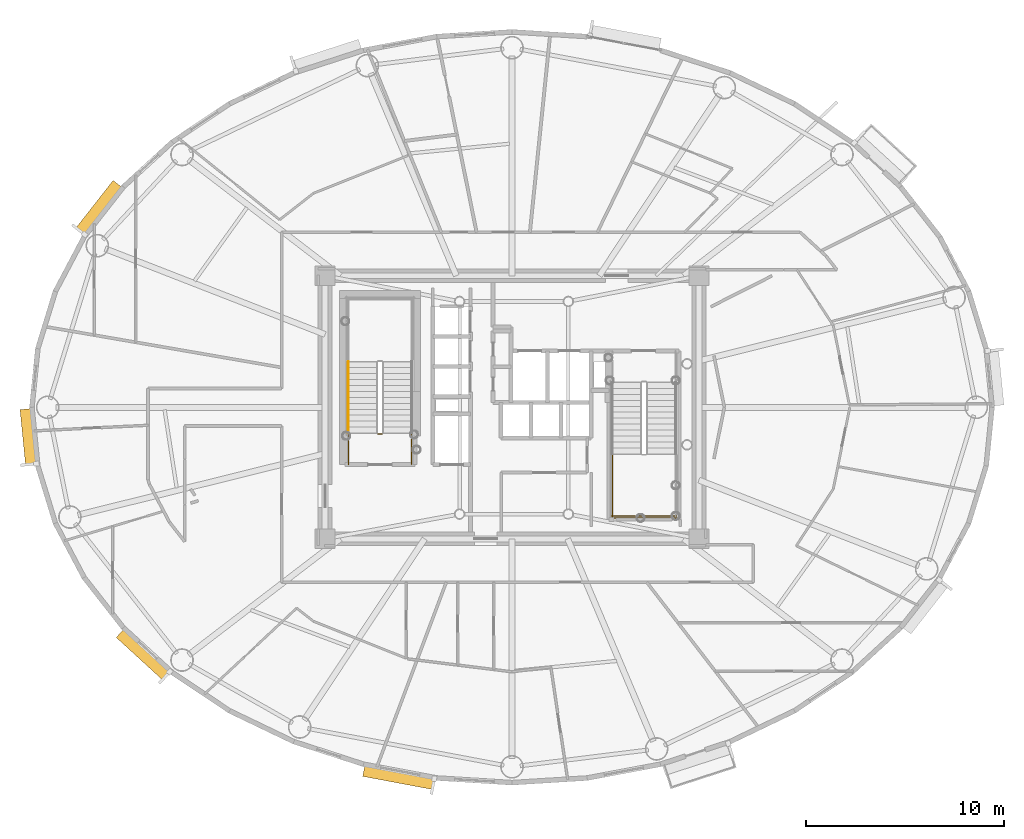
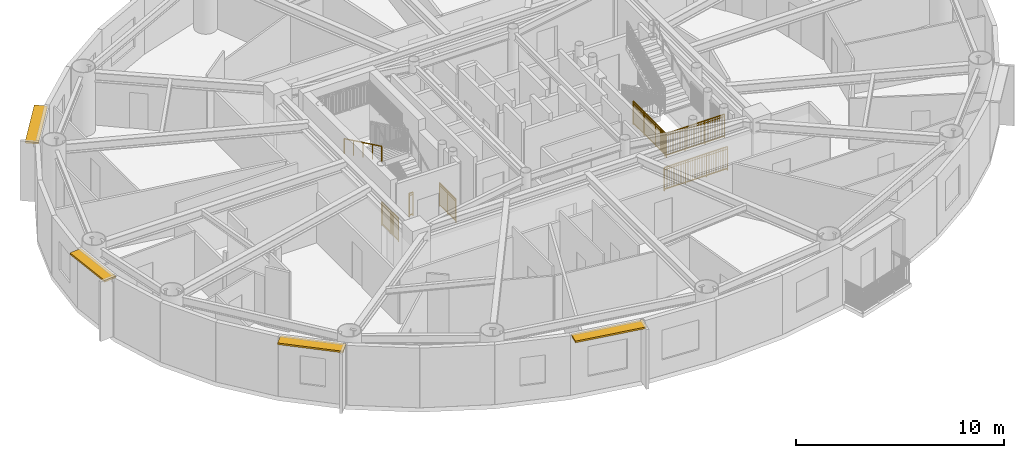
# One storey, part 11 of 18: 7 railings, 4 shading devices.
"""IFC4 building model written with IfcOpenShell, lengths in metres."""

from ifc_helpers import new_model, si_unit, direction, frame, origin, origin_2d, place, context, subcontext, project, spatial, rectangle, extrude, source, transform, mapped, material, layer, layer_set, type_object, element, save


model = new_model("IFC4")

# Units and contexts
model_context = context("Model", 3, precision=1e-05, world=origin(), true_north=direction((0.0, 1.0)))
body_context = subcontext(model_context, "Body", "Model", "MODEL_VIEW")
ifc_project = project(units=[si_unit("LENGTHUNIT", "METRE"), si_unit("AREAUNIT", "SQUARE_METRE"), si_unit("VOLUMEUNIT", "CUBIC_METRE"), si_unit("PLANEANGLEUNIT", "RADIAN"), si_unit("MASSUNIT", "GRAM", prefix="KILO")], contexts=[model_context])

# Site, building, storey
site_placement = place(None, origin())
site = spatial("IfcSite", under=ifc_project, at=site_placement, CompositionType="ELEMENT")
building_placement = place(site_placement, origin())
building = spatial("IfcBuilding", under=site, at=building_placement, Name="Linh Dai School and Residence Tower", CompositionType="ELEMENT")
storey_placement = place(building_placement, frame((0.0, 0.0, 225.300048828125)))
storey = spatial("IfcBuildingStorey", under=building, at=storey_placement, Name="L55", CompositionType="ELEMENT", Elevation=225.300048828125)

# Shading devices
ifc_material_1 = material(Name="Terracotta Ceramic Sunshade", Category="masonry")
ifc_layer = layer(ifc_material_1, 0.10009765625)
ifc_layer_set = layer_set([ifc_layer], Name="Terracotta Ceramic Sunshade")
shading_device_type = type_object("IfcShadingDeviceType", Name="SHD-TC-650", PredefinedType="USERDEFINED", material=ifc_layer_set)
shared_shape_1 = source(origin(), body_context, "Body", "SweptSolid", [
    extrude(rectangle(XDim=2.859619140625, YDim=0.64990234375, at=origin_2d()), origin(), (0.0, 0.0, 1.0), 0.10009765625),
])
shading_device_1_placement = place(storey_placement, frame((11.59033203125, 25.489501953125, 3.3798828125), z_axis=(0.0, 0.0, 1.0), x_axis=(-0.100012244219, 0.99498620644, 0.0)))
element("IfcShadingDevice", 1, at=shading_device_1_placement, inside=storey, type_object=shading_device_type, Name="L55 Terracotta Horizontal Sunshade Band 21", ObjectType="SUNSHADE", PredefinedType="USERDEFINED", context=body_context, shape_type="MappedRepresentation", body=[
    mapped(shared_shape_1, transform((0.0, 0.0, 0.0), x_axis=(1.0, 0.0, 0.0), y_axis=(0.0, 1.0, 0.0), z_axis=(0.0, 0.0, 1.0), scale=1.0)),
])
shared_shape_2 = source(origin(), body_context, "Body", "SweptSolid", [
    extrude(rectangle(XDim=3.219482421875, YDim=0.64990234375, at=origin_2d()), origin(), (0.0, 0.0, 1.0), 0.10009765625),
])
shading_device_2_placement = place(storey_placement, frame((17.39501953125, 14.51220703125, 3.3798828125), z_axis=(0.0, 0.0, 1.0), x_axis=(-0.737125300096, 0.675756089102, 0.0)))
element("IfcShadingDevice", 2, at=shading_device_2_placement, inside=storey, type_object=shading_device_type, Name="L55 Terracotta Horizontal Sunshade Band 25", ObjectType="SUNSHADE", PredefinedType="USERDEFINED", context=body_context, shape_type="MappedRepresentation", body=[
    mapped(shared_shape_2, transform((0.0, 0.0, 0.0), x_axis=(1.0, 0.0, 0.0), y_axis=(0.0, 1.0, 0.0), z_axis=(0.0, 0.0, 1.0), scale=1.0)),
])
shared_shape_3 = source(origin(), body_context, "Body", "SweptSolid", [
    extrude(rectangle(XDim=3.62158203125, YDim=0.64990234375, at=origin_2d()), origin(), (0.0, 0.0, 1.0), 0.10009765625),
])
shading_device_3_placement = place(storey_placement, frame((30.2919921875, 8.32275390625, 3.3798828125), z_axis=(0.0, 0.0, 1.0), x_axis=(-0.982786586765, 0.18474448537, 0.0)))
element("IfcShadingDevice", 3, at=shading_device_3_placement, inside=storey, type_object=shading_device_type, Name="L55 Terracotta Horizontal Sunshade Band 29", ObjectType="SUNSHADE", PredefinedType="USERDEFINED", context=body_context, shape_type="MappedRepresentation", body=[
    mapped(shared_shape_3, transform((0.0, 0.0, 0.0), x_axis=(1.0, 0.0, 0.0), y_axis=(0.0, 1.0, 0.0), z_axis=(0.0, 0.0, 1.0), scale=1.0)),
])
shared_shape_4 = source(origin(), body_context, "Body", "SweptSolid", [
    extrude(rectangle(XDim=3.095703125, YDim=0.64990234375, at=origin_2d()), origin(), (0.0, 0.0, 1.0), 0.10009765625),
])
shading_device_4_placement = place(storey_placement, frame((15.133544921875, 37.050537109375, 3.3798828125), z_axis=(0.0, 0.0, 1.0), x_axis=(0.616331674867, 0.787486677066, 0.0)))
element("IfcShadingDevice", 4, at=shading_device_4_placement, inside=storey, type_object=shading_device_type, Name="L55 Terracotta Horizontal Sunshade Band 17", ObjectType="SUNSHADE", PredefinedType="USERDEFINED", context=body_context, shape_type="MappedRepresentation", body=[
    mapped(shared_shape_4, transform((0.0, 0.0, 0.0), x_axis=(1.0, 0.0, 0.0), y_axis=(0.0, 1.0, 0.0), z_axis=(0.0, 0.0, 1.0), scale=1.0)),
])

# Railings
ifc_material_2 = material(Name="Structural Steel S355JR", Category="steel")
railing_type_1 = type_object("IfcRailingType", Name="RL-ST-GUARD-1400", PredefinedType="GUARDRAIL", material=ifc_material_2)
shared_shape_5 = source(origin(), body_context, "Body", "SweptSolid", [
    extrude(rectangle(XDim=0.048095703125, YDim=0.048095703125, at=origin_2d()), frame((0.0, 0.0, 1.3759765625), z_axis=(-1.0, 0.0, 0.0), x_axis=(0.0, -1.0, 0.0)), (0.0, 0.0, 1.0), 0.199951171875),
    extrude(rectangle(XDim=0.048095703125, YDim=0.048095703125, at=origin_2d()), frame((0.0, 0.0, 0.10009765625), z_axis=(-1.0, 0.0, 0.0), x_axis=(0.0, -1.0, 0.0)), (0.0, 0.0, 1.0), 0.199951171875),
    extrude(rectangle(XDim=0.030029296875, YDim=0.030029296875, at=origin_2d()), frame((0.0, 0.0, 1.239990234375), z_axis=(-1.0, 0.0, 0.0), x_axis=(0.0, -1.0, 0.0)), (0.0, 0.0, 1.0), 0.199951171875),
    extrude(rectangle(XDim=0.0419921875, YDim=0.0419921875, at=origin_2d()), origin(), (0.0, 0.0, 1.0), 1.3759765625),
    extrude(rectangle(XDim=0.0419921875, YDim=0.0419921875, at=origin_2d()), frame((-0.199951171875, 0.0, 0.0)), (0.0, 0.0, 1.0), 1.3759765625),
])
railing_1_placement = place(storey_placement, frame((29.429931640625, 25.64990234375, 0.0)))
element("IfcRailing", 5, at=railing_1_placement, inside=storey, type_object=railing_type_1, Name="L55 ST1 stair guard 7", PredefinedType="GUARDRAIL", context=body_context, shape_type="MappedRepresentation", body=[
    mapped(shared_shape_5, transform((0.0, 0.0, 0.0), x_axis=(1.0, 0.0, 0.0), y_axis=(0.0, 1.0, 0.0), z_axis=(0.0, 0.0, 1.0), scale=1.0)),
])
shared_shape_6 = source(origin(), body_context, "Body", "SweptSolid", [
    extrude(rectangle(XDim=0.048095703125, YDim=0.048095703125, at=origin_2d()), frame((0.0, 0.0, 1.3759765625), z_axis=(0.0, 1.0, 0.0), x_axis=(-1.0, 0.0, 0.0)), (0.0, 0.0, 1.0), 1.599853515625),
    extrude(rectangle(XDim=0.048095703125, YDim=0.048095703125, at=origin_2d()), frame((0.0, 0.0, 0.10009765625), z_axis=(0.0, 1.0, 0.0), x_axis=(-1.0, 0.0, 0.0)), (0.0, 0.0, 1.0), 1.599853515625),
    extrude(rectangle(XDim=0.030029296875, YDim=0.030029296875, at=origin_2d()), frame((0.0, 0.0, 1.239990234375), z_axis=(0.0, 1.0, 0.0), x_axis=(-1.0, 0.0, 0.0)), (0.0, 0.0, 1.0), 1.599853515625),
    extrude(rectangle(XDim=0.02001953125, YDim=0.02001953125, at=origin_2d()), frame((0.0, 0.093994140625, 0.10009765625)), (0.0, 0.0, 1.0), 1.251708984375),
    extrude(rectangle(XDim=0.02001953125, YDim=0.02001953125, at=origin_2d()), frame((0.0, 0.188232421875, 0.10009765625)), (0.0, 0.0, 1.0), 1.251708984375),
    extrude(rectangle(XDim=0.02001953125, YDim=0.02001953125, at=origin_2d()), frame((0.0, 0.2822265625, 0.10009765625)), (0.0, 0.0, 1.0), 1.251708984375),
    extrude(rectangle(XDim=0.02001953125, YDim=0.02001953125, at=origin_2d()), frame((0.0, 0.37646484375, 0.10009765625)), (0.0, 0.0, 1.0), 1.251708984375),
    extrude(rectangle(XDim=0.02001953125, YDim=0.02001953125, at=origin_2d()), frame((0.0, 0.470458984375, 0.10009765625)), (0.0, 0.0, 1.0), 1.251708984375),
    extrude(rectangle(XDim=0.02001953125, YDim=0.02001953125, at=origin_2d()), frame((0.0, 0.564697265625, 0.10009765625)), (0.0, 0.0, 1.0), 1.251708984375),
    extrude(rectangle(XDim=0.02001953125, YDim=0.02001953125, at=origin_2d()), frame((0.0, 0.65869140625, 0.10009765625)), (0.0, 0.0, 1.0), 1.251708984375),
    extrude(rectangle(XDim=0.02001953125, YDim=0.02001953125, at=origin_2d()), frame((0.0, 0.7529296875, 0.10009765625)), (0.0, 0.0, 1.0), 1.251708984375),
    extrude(rectangle(XDim=0.02001953125, YDim=0.02001953125, at=origin_2d()), frame((0.0, 0.846923828125, 0.10009765625)), (0.0, 0.0, 1.0), 1.251708984375),
    extrude(rectangle(XDim=0.02001953125, YDim=0.02001953125, at=origin_2d()), frame((0.0, 0.941162109375, 0.10009765625)), (0.0, 0.0, 1.0), 1.251708984375),
    extrude(rectangle(XDim=0.02001953125, YDim=0.02001953125, at=origin_2d()), frame((0.0, 1.03515625, 0.10009765625)), (0.0, 0.0, 1.0), 1.251708984375),
    extrude(rectangle(XDim=0.02001953125, YDim=0.02001953125, at=origin_2d()), frame((0.0, 1.12939453125, 0.10009765625)), (0.0, 0.0, 1.0), 1.251708984375),
    extrude(rectangle(XDim=0.02001953125, YDim=0.02001953125, at=origin_2d()), frame((0.0, 1.223388671875, 0.10009765625)), (0.0, 0.0, 1.0), 1.251708984375),
    extrude(rectangle(XDim=0.02001953125, YDim=0.02001953125, at=origin_2d()), frame((0.0, 1.317626953125, 0.10009765625)), (0.0, 0.0, 1.0), 1.251708984375),
    extrude(rectangle(XDim=0.02001953125, YDim=0.02001953125, at=origin_2d()), frame((0.0, 1.41162109375, 0.10009765625)), (0.0, 0.0, 1.0), 1.251708984375),
    extrude(rectangle(XDim=0.02001953125, YDim=0.02001953125, at=origin_2d()), frame((0.0, 1.505859375, 0.10009765625)), (0.0, 0.0, 1.0), 1.251708984375),
    extrude(rectangle(XDim=0.0419921875, YDim=0.0419921875, at=origin_2d()), origin(), (0.0, 0.0, 1.0), 1.3759765625),
    extrude(rectangle(XDim=0.0419921875, YDim=0.0419921875, at=origin_2d()), frame((0.0, 0.7998046875, 0.0)), (0.0, 0.0, 1.0), 1.3759765625),
    extrude(rectangle(XDim=0.0419921875, YDim=0.0419921875, at=origin_2d()), frame((0.0, 1.599853515625, 0.0)), (0.0, 0.0, 1.0), 1.3759765625),
])
for number, where, name in (
    (6, (30.929931640625, 24.10009765625, 0.0), "L55 ST1 stair guard 8"),
    (7, (27.72998046875, 24.10009765625, 0.0), "L55 ST1 stair guard 9"),
):
    element("IfcRailing", number, at=place(storey_placement, frame(where)), inside=storey, type_object=railing_type_1, Name=name, PredefinedType="GUARDRAIL", context=body_context, shape_type="MappedRepresentation", body=[
        mapped(shared_shape_6, transform((0.0, 0.0, 0.0), x_axis=(1.0, 0.0, 0.0), y_axis=(0.0, 1.0, 0.0), z_axis=(0.0, 0.0, 1.0), scale=1.0)),
    ])
ifc_material_3 = material(Name="Brushed Stainless Steel Handrail", Category="steel")
railing_type_2 = type_object("IfcRailingType", Name="RL-ST-HANDRAIL-900", PredefinedType="HANDRAIL", material=ifc_material_3)
shared_shape_7 = source(origin(), body_context, "Body", "SweptSolid", [
    extrude(rectangle(XDim=0.048095703125, YDim=0.048095703125, at=origin_2d()), frame((0.0, 0.0, 0.8759765625), z_axis=(0.0, -0.901262522062, 0.433273431364), x_axis=(1.0, 0.0, 0.0)), (0.0, 0.0, 1.0), 3.994384765625),
    extrude(rectangle(XDim=0.0419921875, YDim=0.0419921875, at=origin_2d()), origin(), (0.0, 0.0, 1.0), 0.8759765625),
    extrude(rectangle(XDim=0.0419921875, YDim=0.0419921875, at=origin_2d()), frame((0.0, -0.89990234375, 0.4326171875)), (0.0, 0.0, 1.0), 0.8759765625),
    extrude(rectangle(XDim=0.0419921875, YDim=0.0419921875, at=origin_2d()), frame((0.0, -1.800048828125, 0.865234375)), (0.0, 0.0, 1.0), 0.8759765625),
    extrude(rectangle(XDim=0.0419921875, YDim=0.0419921875, at=origin_2d()), frame((0.0, -2.7001953125, 1.298095703125)), (0.0, 0.0, 1.0), 0.8759765625),
    extrude(rectangle(XDim=0.0419921875, YDim=0.0419921875, at=origin_2d()), frame((0.0, -3.60009765625, 1.730712890625)), (0.0, 0.0, 1.0), 0.8759765625),
])
railing_2_placement = place(storey_placement, frame((27.72998046875, 29.300048828125, 2.019287109375)))
element("IfcRailing", 8, at=railing_2_placement, inside=storey, type_object=railing_type_2, Name="L55 ST1 stair handrail 2", PredefinedType="HANDRAIL", context=body_context, shape_type="MappedRepresentation", body=[
    mapped(shared_shape_7, transform((0.0, 0.0, 0.0), x_axis=(1.0, 0.0, 0.0), y_axis=(0.0, 1.0, 0.0), z_axis=(0.0, 0.0, 1.0), scale=1.0)),
])
shared_shape_8 = source(origin(), body_context, "Body", "SweptSolid", [
    extrude(rectangle(XDim=0.048095703125, YDim=0.048095703125, at=origin_2d()), frame((0.0, 0.0, 1.3759765625), z_axis=(1.0, 0.0, 0.0), x_axis=(0.0, 1.0, 0.0)), (0.0, 0.0, 1.0), 3.300048828125),
    extrude(rectangle(XDim=0.048095703125, YDim=0.048095703125, at=origin_2d()), frame((0.0, 0.0, 0.10009765625), z_axis=(1.0, 0.0, 0.0), x_axis=(0.0, 1.0, 0.0)), (0.0, 0.0, 1.0), 3.300048828125),
    extrude(rectangle(XDim=0.030029296875, YDim=0.030029296875, at=origin_2d()), frame((0.0, 0.0, 1.239990234375), z_axis=(1.0, 0.0, 0.0), x_axis=(0.0, 1.0, 0.0)), (0.0, 0.0, 1.0), 3.300048828125),
    extrude(rectangle(XDim=0.02001953125, YDim=0.02001953125, at=origin_2d()), frame((0.09716796875, 0.0, 0.10009765625)), (0.0, 0.0, 1.0), 1.251708984375),
    extrude(rectangle(XDim=0.02001953125, YDim=0.02001953125, at=origin_2d()), frame((0.194091796875, 0.0, 0.10009765625)), (0.0, 0.0, 1.0), 1.251708984375),
    extrude(rectangle(XDim=0.02001953125, YDim=0.02001953125, at=origin_2d()), frame((0.291259765625, 0.0, 0.10009765625)), (0.0, 0.0, 1.0), 1.251708984375),
    extrude(rectangle(XDim=0.02001953125, YDim=0.02001953125, at=origin_2d()), frame((0.38818359375, 0.0, 0.10009765625)), (0.0, 0.0, 1.0), 1.251708984375),
    extrude(rectangle(XDim=0.02001953125, YDim=0.02001953125, at=origin_2d()), frame((0.4853515625, 0.0, 0.10009765625)), (0.0, 0.0, 1.0), 1.251708984375),
    extrude(rectangle(XDim=0.02001953125, YDim=0.02001953125, at=origin_2d()), frame((0.582275390625, 0.0, 0.10009765625)), (0.0, 0.0, 1.0), 1.251708984375),
    extrude(rectangle(XDim=0.02001953125, YDim=0.02001953125, at=origin_2d()), frame((0.679443359375, 0.0, 0.10009765625)), (0.0, 0.0, 1.0), 1.251708984375),
    extrude(rectangle(XDim=0.02001953125, YDim=0.02001953125, at=origin_2d()), frame((0.7763671875, 0.0, 0.10009765625)), (0.0, 0.0, 1.0), 1.251708984375),
    extrude(rectangle(XDim=0.02001953125, YDim=0.02001953125, at=origin_2d()), frame((0.87353515625, 0.0, 0.10009765625)), (0.0, 0.0, 1.0), 1.251708984375),
    extrude(rectangle(XDim=0.02001953125, YDim=0.02001953125, at=origin_2d()), frame((0.970703125, 0.0, 0.10009765625)), (0.0, 0.0, 1.0), 1.251708984375),
    extrude(rectangle(XDim=0.02001953125, YDim=0.02001953125, at=origin_2d()), frame((1.164794921875, 0.0, 0.10009765625)), (0.0, 0.0, 1.0), 1.251708984375),
    extrude(rectangle(XDim=0.02001953125, YDim=0.02001953125, at=origin_2d()), frame((1.26171875, 0.0, 0.10009765625)), (0.0, 0.0, 1.0), 1.251708984375),
    extrude(rectangle(XDim=0.02001953125, YDim=0.02001953125, at=origin_2d()), frame((1.35888671875, 0.0, 0.10009765625)), (0.0, 0.0, 1.0), 1.251708984375),
    extrude(rectangle(XDim=0.02001953125, YDim=0.02001953125, at=origin_2d()), frame((1.455810546875, 0.0, 0.10009765625)), (0.0, 0.0, 1.0), 1.251708984375),
    extrude(rectangle(XDim=0.02001953125, YDim=0.02001953125, at=origin_2d()), frame((1.552978515625, 0.0, 0.10009765625)), (0.0, 0.0, 1.0), 1.251708984375),
    extrude(rectangle(XDim=0.02001953125, YDim=0.02001953125, at=origin_2d()), frame((1.64990234375, 0.0, 0.10009765625)), (0.0, 0.0, 1.0), 1.251708984375),
    extrude(rectangle(XDim=0.02001953125, YDim=0.02001953125, at=origin_2d()), frame((1.7470703125, 0.0, 0.10009765625)), (0.0, 0.0, 1.0), 1.251708984375),
    extrude(rectangle(XDim=0.02001953125, YDim=0.02001953125, at=origin_2d()), frame((1.84423828125, 0.0, 0.10009765625)), (0.0, 0.0, 1.0), 1.251708984375),
    extrude(rectangle(XDim=0.02001953125, YDim=0.02001953125, at=origin_2d()), frame((1.941162109375, 0.0, 0.10009765625)), (0.0, 0.0, 1.0), 1.251708984375),
    extrude(rectangle(XDim=0.02001953125, YDim=0.02001953125, at=origin_2d()), frame((2.038330078125, 0.0, 0.10009765625)), (0.0, 0.0, 1.0), 1.251708984375),
    extrude(rectangle(XDim=0.02001953125, YDim=0.02001953125, at=origin_2d()), frame((2.13525390625, 0.0, 0.10009765625)), (0.0, 0.0, 1.0), 1.251708984375),
    extrude(rectangle(XDim=0.02001953125, YDim=0.02001953125, at=origin_2d()), frame((2.329345703125, 0.0, 0.10009765625)), (0.0, 0.0, 1.0), 1.251708984375),
    extrude(rectangle(XDim=0.02001953125, YDim=0.02001953125, at=origin_2d()), frame((2.426513671875, 0.0, 0.10009765625)), (0.0, 0.0, 1.0), 1.251708984375),
    extrude(rectangle(XDim=0.02001953125, YDim=0.02001953125, at=origin_2d()), frame((2.523681640625, 0.0, 0.10009765625)), (0.0, 0.0, 1.0), 1.251708984375),
    extrude(rectangle(XDim=0.02001953125, YDim=0.02001953125, at=origin_2d()), frame((2.62060546875, 0.0, 0.10009765625)), (0.0, 0.0, 1.0), 1.251708984375),
    extrude(rectangle(XDim=0.02001953125, YDim=0.02001953125, at=origin_2d()), frame((2.7177734375, 0.0, 0.10009765625)), (0.0, 0.0, 1.0), 1.251708984375),
    extrude(rectangle(XDim=0.02001953125, YDim=0.02001953125, at=origin_2d()), frame((2.814697265625, 0.0, 0.10009765625)), (0.0, 0.0, 1.0), 1.251708984375),
    extrude(rectangle(XDim=0.02001953125, YDim=0.02001953125, at=origin_2d()), frame((2.911865234375, 0.0, 0.10009765625)), (0.0, 0.0, 1.0), 1.251708984375),
    extrude(rectangle(XDim=0.02001953125, YDim=0.02001953125, at=origin_2d()), frame((3.0087890625, 0.0, 0.10009765625)), (0.0, 0.0, 1.0), 1.251708984375),
    extrude(rectangle(XDim=0.02001953125, YDim=0.02001953125, at=origin_2d()), frame((3.10595703125, 0.0, 0.10009765625)), (0.0, 0.0, 1.0), 1.251708984375),
    extrude(rectangle(XDim=0.02001953125, YDim=0.02001953125, at=origin_2d()), frame((3.202880859375, 0.0, 0.10009765625)), (0.0, 0.0, 1.0), 1.251708984375),
    extrude(rectangle(XDim=0.0419921875, YDim=0.0419921875, at=origin_2d()), origin(), (0.0, 0.0, 1.0), 1.3759765625),
    extrude(rectangle(XDim=0.0419921875, YDim=0.0419921875, at=origin_2d()), frame((1.10009765625, 0.0, 0.0)), (0.0, 0.0, 1.0), 1.3759765625),
    extrude(rectangle(XDim=0.0419921875, YDim=0.0419921875, at=origin_2d()), frame((2.199951171875, 0.0, 0.0)), (0.0, 0.0, 1.0), 1.3759765625),
    extrude(rectangle(XDim=0.0419921875, YDim=0.0419921875, at=origin_2d()), frame((3.300048828125, 0.0, 0.0)), (0.0, 0.0, 1.0), 1.3759765625),
])
railing_3_placement = place(storey_placement, frame((41.02001953125, 21.5, 1.875)))
element("IfcRailing", 9, at=railing_3_placement, inside=storey, type_object=railing_type_1, Name="L55 ST2 stair guard 5", PredefinedType="GUARDRAIL", context=body_context, shape_type="MappedRepresentation", body=[
    mapped(shared_shape_8, transform((0.0, 0.0, 0.0), x_axis=(1.0, 0.0, 0.0), y_axis=(0.0, 1.0, 0.0), z_axis=(0.0, 0.0, 1.0), scale=1.0)),
])
shared_shape_9 = source(origin(), body_context, "Body", "SweptSolid", [
    extrude(rectangle(XDim=0.048095703125, YDim=0.048095703125, at=origin_2d()), frame((0.0, 0.0, 1.3759765625), z_axis=(1.0, 0.0, 0.0), x_axis=(0.0, 1.0, 0.0)), (0.0, 0.0, 1.0), 3.5),
    extrude(rectangle(XDim=0.048095703125, YDim=0.048095703125, at=origin_2d()), frame((0.0, 0.0, 0.10009765625), z_axis=(1.0, 0.0, 0.0), x_axis=(0.0, 1.0, 0.0)), (0.0, 0.0, 1.0), 3.5),
    extrude(rectangle(XDim=0.030029296875, YDim=0.030029296875, at=origin_2d()), frame((0.0, 0.0, 1.239990234375), z_axis=(1.0, 0.0, 0.0), x_axis=(0.0, 1.0, 0.0)), (0.0, 0.0, 1.0), 3.5),
    extrude(rectangle(XDim=0.02001953125, YDim=0.02001953125, at=origin_2d()), frame((0.09716796875, 0.0, 0.10009765625)), (0.0, 0.0, 1.0), 1.251708984375),
    extrude(rectangle(XDim=0.02001953125, YDim=0.02001953125, at=origin_2d()), frame((0.1943359375, 0.0, 0.10009765625)), (0.0, 0.0, 1.0), 1.251708984375),
    extrude(rectangle(XDim=0.02001953125, YDim=0.02001953125, at=origin_2d()), frame((0.291748046875, 0.0, 0.10009765625)), (0.0, 0.0, 1.0), 1.251708984375),
    extrude(rectangle(XDim=0.02001953125, YDim=0.02001953125, at=origin_2d()), frame((0.388916015625, 0.0, 0.10009765625)), (0.0, 0.0, 1.0), 1.251708984375),
    extrude(rectangle(XDim=0.02001953125, YDim=0.02001953125, at=origin_2d()), frame((0.486083984375, 0.0, 0.10009765625)), (0.0, 0.0, 1.0), 1.251708984375),
    extrude(rectangle(XDim=0.02001953125, YDim=0.02001953125, at=origin_2d()), frame((0.583251953125, 0.0, 0.10009765625)), (0.0, 0.0, 1.0), 1.251708984375),
    extrude(rectangle(XDim=0.02001953125, YDim=0.02001953125, at=origin_2d()), frame((0.6806640625, 0.0, 0.10009765625)), (0.0, 0.0, 1.0), 1.251708984375),
    extrude(rectangle(XDim=0.02001953125, YDim=0.02001953125, at=origin_2d()), frame((0.77783203125, 0.0, 0.10009765625)), (0.0, 0.0, 1.0), 1.251708984375),
    extrude(rectangle(XDim=0.02001953125, YDim=0.02001953125, at=origin_2d()), frame((0.875, 0.0, 0.10009765625)), (0.0, 0.0, 1.0), 1.251708984375),
    extrude(rectangle(XDim=0.02001953125, YDim=0.02001953125, at=origin_2d()), frame((0.97216796875, 0.0, 0.10009765625)), (0.0, 0.0, 1.0), 1.251708984375),
    extrude(rectangle(XDim=0.02001953125, YDim=0.02001953125, at=origin_2d()), frame((1.0693359375, 0.0, 0.10009765625)), (0.0, 0.0, 1.0), 1.251708984375),
    extrude(rectangle(XDim=0.02001953125, YDim=0.02001953125, at=origin_2d()), frame((1.263916015625, 0.0, 0.10009765625)), (0.0, 0.0, 1.0), 1.251708984375),
    extrude(rectangle(XDim=0.02001953125, YDim=0.02001953125, at=origin_2d()), frame((1.361083984375, 0.0, 0.10009765625)), (0.0, 0.0, 1.0), 1.251708984375),
    extrude(rectangle(XDim=0.02001953125, YDim=0.02001953125, at=origin_2d()), frame((1.458251953125, 0.0, 0.10009765625)), (0.0, 0.0, 1.0), 1.251708984375),
    extrude(rectangle(XDim=0.02001953125, YDim=0.02001953125, at=origin_2d()), frame((1.5556640625, 0.0, 0.10009765625)), (0.0, 0.0, 1.0), 1.251708984375),
    extrude(rectangle(XDim=0.02001953125, YDim=0.02001953125, at=origin_2d()), frame((1.65283203125, 0.0, 0.10009765625)), (0.0, 0.0, 1.0), 1.251708984375),
    extrude(rectangle(XDim=0.02001953125, YDim=0.02001953125, at=origin_2d()), frame((1.75, 0.0, 0.10009765625)), (0.0, 0.0, 1.0), 1.251708984375),
    extrude(rectangle(XDim=0.02001953125, YDim=0.02001953125, at=origin_2d()), frame((1.84716796875, 0.0, 0.10009765625)), (0.0, 0.0, 1.0), 1.251708984375),
    extrude(rectangle(XDim=0.02001953125, YDim=0.02001953125, at=origin_2d()), frame((1.9443359375, 0.0, 0.10009765625)), (0.0, 0.0, 1.0), 1.251708984375),
    extrude(rectangle(XDim=0.02001953125, YDim=0.02001953125, at=origin_2d()), frame((2.041748046875, 0.0, 0.10009765625)), (0.0, 0.0, 1.0), 1.251708984375),
    extrude(rectangle(XDim=0.02001953125, YDim=0.02001953125, at=origin_2d()), frame((2.138916015625, 0.0, 0.10009765625)), (0.0, 0.0, 1.0), 1.251708984375),
    extrude(rectangle(XDim=0.02001953125, YDim=0.02001953125, at=origin_2d()), frame((2.236083984375, 0.0, 0.10009765625)), (0.0, 0.0, 1.0), 1.251708984375),
    extrude(rectangle(XDim=0.02001953125, YDim=0.02001953125, at=origin_2d()), frame((2.4306640625, 0.0, 0.10009765625)), (0.0, 0.0, 1.0), 1.251708984375),
    extrude(rectangle(XDim=0.02001953125, YDim=0.02001953125, at=origin_2d()), frame((2.52783203125, 0.0, 0.10009765625)), (0.0, 0.0, 1.0), 1.251708984375),
    extrude(rectangle(XDim=0.02001953125, YDim=0.02001953125, at=origin_2d()), frame((2.625, 0.0, 0.10009765625)), (0.0, 0.0, 1.0), 1.251708984375),
    extrude(rectangle(XDim=0.02001953125, YDim=0.02001953125, at=origin_2d()), frame((2.72216796875, 0.0, 0.10009765625)), (0.0, 0.0, 1.0), 1.251708984375),
    extrude(rectangle(XDim=0.02001953125, YDim=0.02001953125, at=origin_2d()), frame((2.8193359375, 0.0, 0.10009765625)), (0.0, 0.0, 1.0), 1.251708984375),
    extrude(rectangle(XDim=0.02001953125, YDim=0.02001953125, at=origin_2d()), frame((2.916748046875, 0.0, 0.10009765625)), (0.0, 0.0, 1.0), 1.251708984375),
    extrude(rectangle(XDim=0.02001953125, YDim=0.02001953125, at=origin_2d()), frame((3.013916015625, 0.0, 0.10009765625)), (0.0, 0.0, 1.0), 1.251708984375),
    extrude(rectangle(XDim=0.02001953125, YDim=0.02001953125, at=origin_2d()), frame((3.111083984375, 0.0, 0.10009765625)), (0.0, 0.0, 1.0), 1.251708984375),
    extrude(rectangle(XDim=0.02001953125, YDim=0.02001953125, at=origin_2d()), frame((3.208251953125, 0.0, 0.10009765625)), (0.0, 0.0, 1.0), 1.251708984375),
    extrude(rectangle(XDim=0.02001953125, YDim=0.02001953125, at=origin_2d()), frame((3.3056640625, 0.0, 0.10009765625)), (0.0, 0.0, 1.0), 1.251708984375),
    extrude(rectangle(XDim=0.02001953125, YDim=0.02001953125, at=origin_2d()), frame((3.40283203125, 0.0, 0.10009765625)), (0.0, 0.0, 1.0), 1.251708984375),
    extrude(rectangle(XDim=0.0419921875, YDim=0.0419921875, at=origin_2d()), origin(), (0.0, 0.0, 1.0), 1.3759765625),
    extrude(rectangle(XDim=0.0419921875, YDim=0.0419921875, at=origin_2d()), frame((1.166748046875, 0.0, 0.0)), (0.0, 0.0, 1.0), 1.3759765625),
    extrude(rectangle(XDim=0.0419921875, YDim=0.0419921875, at=origin_2d()), frame((2.333251953125, 0.0, 0.0)), (0.0, 0.0, 1.0), 1.3759765625),
    extrude(rectangle(XDim=0.0419921875, YDim=0.0419921875, at=origin_2d()), frame((3.5, 0.0, 0.0)), (0.0, 0.0, 1.0), 1.3759765625),
])
railing_4_placement = place(storey_placement, frame((40.919921875, 21.39990234375, 0.0)))
element("IfcRailing", 10, at=railing_4_placement, inside=storey, type_object=railing_type_1, Name="L55 ST2 stair guard 12", PredefinedType="GUARDRAIL", context=body_context, shape_type="MappedRepresentation", body=[
    mapped(shared_shape_9, transform((0.0, 0.0, 0.0), x_axis=(1.0, 0.0, 0.0), y_axis=(0.0, 1.0, 0.0), z_axis=(0.0, 0.0, 1.0), scale=1.0)),
])
shared_shape_10 = source(origin(), body_context, "Body", "SweptSolid", [
    extrude(rectangle(XDim=0.048095703125, YDim=0.048095703125, at=origin_2d()), frame((0.0, 0.0, 1.3759765625), z_axis=(0.0, -1.0, 0.0), x_axis=(1.0, 0.0, 0.0)), (0.0, 0.0, 1.0), 3.199951171875),
    extrude(rectangle(XDim=0.048095703125, YDim=0.048095703125, at=origin_2d()), frame((0.0, 0.0, 0.10009765625), z_axis=(0.0, -1.0, 0.0), x_axis=(1.0, 0.0, 0.0)), (0.0, 0.0, 1.0), 3.199951171875),
    extrude(rectangle(XDim=0.030029296875, YDim=0.030029296875, at=origin_2d()), frame((0.0, 0.0, 1.239990234375), z_axis=(0.0, -1.0, 0.0), x_axis=(1.0, 0.0, 0.0)), (0.0, 0.0, 1.0), 3.199951171875),
    extrude(rectangle(XDim=0.02001953125, YDim=0.02001953125, at=origin_2d()), frame((0.0, -0.096923828125, 0.10009765625)), (0.0, 0.0, 1.0), 1.251708984375),
    extrude(rectangle(XDim=0.02001953125, YDim=0.02001953125, at=origin_2d()), frame((0.0, -0.19384765625, 0.10009765625)), (0.0, 0.0, 1.0), 1.251708984375),
    extrude(rectangle(XDim=0.02001953125, YDim=0.02001953125, at=origin_2d()), frame((0.0, -0.291015625, 0.10009765625)), (0.0, 0.0, 1.0), 1.251708984375),
    extrude(rectangle(XDim=0.02001953125, YDim=0.02001953125, at=origin_2d()), frame((0.0, -0.387939453125, 0.10009765625)), (0.0, 0.0, 1.0), 1.251708984375),
    extrude(rectangle(XDim=0.02001953125, YDim=0.02001953125, at=origin_2d()), frame((0.0, -0.48486328125, 0.10009765625)), (0.0, 0.0, 1.0), 1.251708984375),
    extrude(rectangle(XDim=0.02001953125, YDim=0.02001953125, at=origin_2d()), frame((0.0, -0.581787109375, 0.10009765625)), (0.0, 0.0, 1.0), 1.251708984375),
    extrude(rectangle(XDim=0.02001953125, YDim=0.02001953125, at=origin_2d()), frame((0.0, -0.6787109375, 0.10009765625)), (0.0, 0.0, 1.0), 1.251708984375),
    extrude(rectangle(XDim=0.02001953125, YDim=0.02001953125, at=origin_2d()), frame((0.0, -0.775634765625, 0.10009765625)), (0.0, 0.0, 1.0), 1.251708984375),
    extrude(rectangle(XDim=0.02001953125, YDim=0.02001953125, at=origin_2d()), frame((0.0, -0.872802734375, 0.10009765625)), (0.0, 0.0, 1.0), 1.251708984375),
    extrude(rectangle(XDim=0.02001953125, YDim=0.02001953125, at=origin_2d()), frame((0.0, -0.9697265625, 0.10009765625)), (0.0, 0.0, 1.0), 1.251708984375),
    extrude(rectangle(XDim=0.02001953125, YDim=0.02001953125, at=origin_2d()), frame((0.0, -1.16357421875, 0.10009765625)), (0.0, 0.0, 1.0), 1.251708984375),
    extrude(rectangle(XDim=0.02001953125, YDim=0.02001953125, at=origin_2d()), frame((0.0, -1.260498046875, 0.10009765625)), (0.0, 0.0, 1.0), 1.251708984375),
    extrude(rectangle(XDim=0.02001953125, YDim=0.02001953125, at=origin_2d()), frame((0.0, -1.357666015625, 0.10009765625)), (0.0, 0.0, 1.0), 1.251708984375),
    extrude(rectangle(XDim=0.02001953125, YDim=0.02001953125, at=origin_2d()), frame((0.0, -1.45458984375, 0.10009765625)), (0.0, 0.0, 1.0), 1.251708984375),
    extrude(rectangle(XDim=0.02001953125, YDim=0.02001953125, at=origin_2d()), frame((0.0, -1.551513671875, 0.10009765625)), (0.0, 0.0, 1.0), 1.251708984375),
    extrude(rectangle(XDim=0.02001953125, YDim=0.02001953125, at=origin_2d()), frame((0.0, -1.6484375, 0.10009765625)), (0.0, 0.0, 1.0), 1.251708984375),
    extrude(rectangle(XDim=0.02001953125, YDim=0.02001953125, at=origin_2d()), frame((0.0, -1.745361328125, 0.10009765625)), (0.0, 0.0, 1.0), 1.251708984375),
    extrude(rectangle(XDim=0.02001953125, YDim=0.02001953125, at=origin_2d()), frame((0.0, -1.84228515625, 0.10009765625)), (0.0, 0.0, 1.0), 1.251708984375),
    extrude(rectangle(XDim=0.02001953125, YDim=0.02001953125, at=origin_2d()), frame((0.0, -1.939453125, 0.10009765625)), (0.0, 0.0, 1.0), 1.251708984375),
    extrude(rectangle(XDim=0.02001953125, YDim=0.02001953125, at=origin_2d()), frame((0.0, -2.036376953125, 0.10009765625)), (0.0, 0.0, 1.0), 1.251708984375),
    extrude(rectangle(XDim=0.02001953125, YDim=0.02001953125, at=origin_2d()), frame((0.0, -2.230224609375, 0.10009765625)), (0.0, 0.0, 1.0), 1.251708984375),
    extrude(rectangle(XDim=0.02001953125, YDim=0.02001953125, at=origin_2d()), frame((0.0, -2.3271484375, 0.10009765625)), (0.0, 0.0, 1.0), 1.251708984375),
    extrude(rectangle(XDim=0.02001953125, YDim=0.02001953125, at=origin_2d()), frame((0.0, -2.42431640625, 0.10009765625)), (0.0, 0.0, 1.0), 1.251708984375),
    extrude(rectangle(XDim=0.02001953125, YDim=0.02001953125, at=origin_2d()), frame((0.0, -2.521240234375, 0.10009765625)), (0.0, 0.0, 1.0), 1.251708984375),
    extrude(rectangle(XDim=0.02001953125, YDim=0.02001953125, at=origin_2d()), frame((0.0, -2.6181640625, 0.10009765625)), (0.0, 0.0, 1.0), 1.251708984375),
    extrude(rectangle(XDim=0.02001953125, YDim=0.02001953125, at=origin_2d()), frame((0.0, -2.715087890625, 0.10009765625)), (0.0, 0.0, 1.0), 1.251708984375),
    extrude(rectangle(XDim=0.02001953125, YDim=0.02001953125, at=origin_2d()), frame((0.0, -2.81201171875, 0.10009765625)), (0.0, 0.0, 1.0), 1.251708984375),
    extrude(rectangle(XDim=0.02001953125, YDim=0.02001953125, at=origin_2d()), frame((0.0, -2.908935546875, 0.10009765625)), (0.0, 0.0, 1.0), 1.251708984375),
    extrude(rectangle(XDim=0.02001953125, YDim=0.02001953125, at=origin_2d()), frame((0.0, -3.006103515625, 0.10009765625)), (0.0, 0.0, 1.0), 1.251708984375),
    extrude(rectangle(XDim=0.02001953125, YDim=0.02001953125, at=origin_2d()), frame((0.0, -3.10302734375, 0.10009765625)), (0.0, 0.0, 1.0), 1.251708984375),
    extrude(rectangle(XDim=0.0419921875, YDim=0.0419921875, at=origin_2d()), origin(), (0.0, 0.0, 1.0), 1.3759765625),
    extrude(rectangle(XDim=0.0419921875, YDim=0.0419921875, at=origin_2d()), frame((0.0, -1.066650390625, 0.0)), (0.0, 0.0, 1.0), 1.3759765625),
    extrude(rectangle(XDim=0.0419921875, YDim=0.0419921875, at=origin_2d()), frame((0.0, -2.13330078125, 0.0)), (0.0, 0.0, 1.0), 1.3759765625),
    extrude(rectangle(XDim=0.0419921875, YDim=0.0419921875, at=origin_2d()), frame((0.0, -3.199951171875, 0.0)), (0.0, 0.0, 1.0), 1.3759765625),
])
railing_5_placement = place(storey_placement, frame((41.070068359375, 24.64990234375, 1.875)))
element("IfcRailing", 11, at=railing_5_placement, inside=storey, type_object=railing_type_1, Name="L55 ST2 stair guard 3", PredefinedType="GUARDRAIL", context=body_context, shape_type="MappedRepresentation", body=[
    mapped(shared_shape_10, transform((0.0, 0.0, 0.0), x_axis=(1.0, 0.0, 0.0), y_axis=(0.0, 1.0, 0.0), z_axis=(0.0, 0.0, 1.0), scale=1.0)),
])

save(model, "model.ifc")
